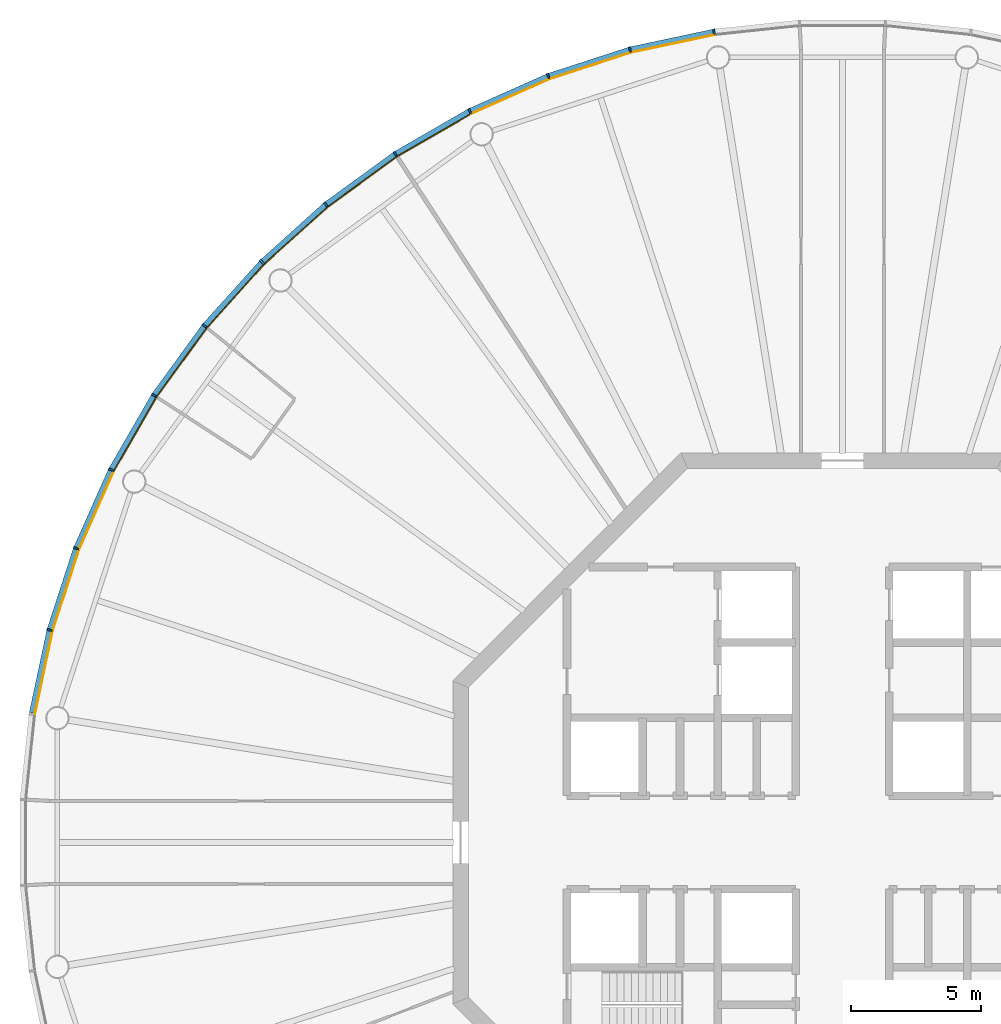
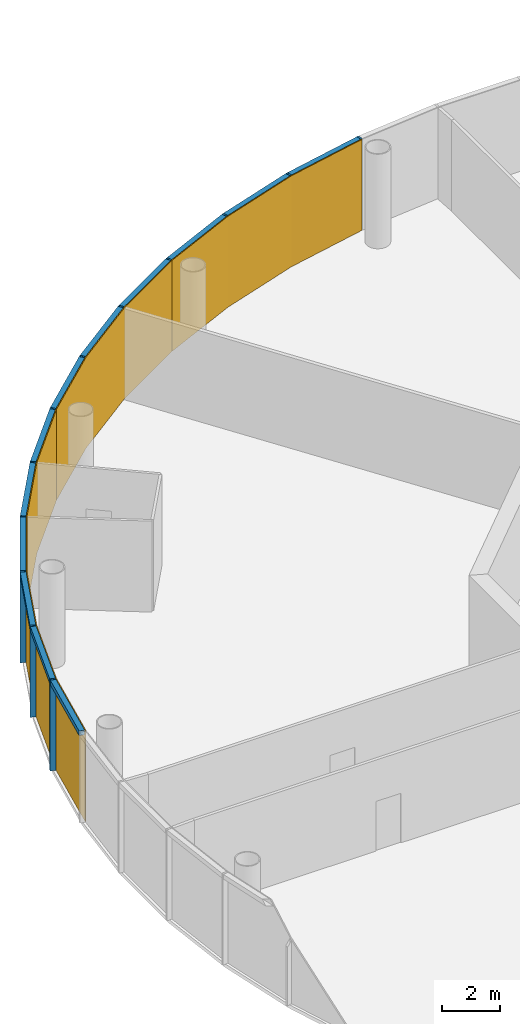
# One storey, part 10 of 13: 24 members, 4 curtain walls.
"""IFC4 building model written with IfcOpenShell, lengths in metres."""

from ifc_helpers import new_model, si_unit, direction, frame, origin, origin_2d, place, context, subcontext, project, spatial, polyline, rectangle, outline, extrude, material, layer, layer_set, material_profile, profile_set, type_object, element, aggregate, save


model = new_model("IFC4")

# Units and contexts
model_context = context("Model", 3, precision=1e-05, world=origin(), true_north=direction((0.0, 1.0)))
body_context = subcontext(model_context, "Body", "Model", "MODEL_VIEW")
ifc_project = project(units=[si_unit("LENGTHUNIT", "METRE"), si_unit("AREAUNIT", "SQUARE_METRE"), si_unit("VOLUMEUNIT", "CUBIC_METRE"), si_unit("PLANEANGLEUNIT", "RADIAN"), si_unit("MASSUNIT", "GRAM", prefix="KILO")], contexts=[model_context])

# Member
ifc_material_1 = material(Name="Anodised aluminium", Category="aluminium")
ifc_material_profile_1 = material_profile(ifc_material_1, rectangle(XDim=0.070068359375, YDim=0.205078125, at=origin_2d()), Name="Mullion 70 x 205 mm anodised aluminium")
ifc_profile_set_1 = profile_set([ifc_material_profile_1], Name="Anodised aluminium")
member_type_1 = type_object("IfcMemberType", Name="Mullion 70 x 205 mm anodised aluminium", PredefinedType="MULLION", material=ifc_profile_set_1)
site_placement = place(None, origin())
building_placement = place(site_placement, origin())
storey_placement = place(building_placement, frame((0.0, 0.0, 364.0)))
member_1_placement = place(storey_placement, frame((85.056396484375, 111.21337890625, 0.0), z_axis=(0.0, 0.0, 1.0), x_axis=(-0.987688340595, -0.15643446504, 0.0)))
member_1 = element("IfcMember", 1, at=member_1_placement, type_object=member_type_1, Name="MULLION L84-15", PredefinedType="MULLION", context=body_context, shape_type="SweptSolid", body=[
    extrude(rectangle(XDim=0.070068359375, YDim=0.205078125, at=origin_2d()), origin(), (0.0, 0.0, 1.0), 3.85009765625),
])

member_2_placement = place(storey_placement, frame((81.820556640625, 110.525634765625, 0.0), z_axis=(0.0, 0.0, 1.0), x_axis=(-0.965925826289, -0.258819045103, 0.0)))
member_2 = element("IfcMember", 2, at=member_2_placement, type_object=member_type_1, Name="MULLION L84-16", PredefinedType="MULLION", context=body_context, shape_type="SweptSolid", body=[
    extrude(rectangle(XDim=0.070068359375, YDim=0.205078125, at=origin_2d()), origin(), (0.0, 0.0, 1.0), 3.85009765625),
])

member_3_placement = place(storey_placement, frame((78.674560546875, 109.50341796875, 0.0), z_axis=(0.0, 0.0, 1.0), x_axis=(-0.933580426497, -0.358367949545, 0.0)))
member_3 = element("IfcMember", 3, at=member_3_placement, type_object=member_type_1, Name="MULLION L84-17", PredefinedType="MULLION", context=body_context, shape_type="SweptSolid", body=[
    extrude(rectangle(XDim=0.070068359375, YDim=0.205078125, at=origin_2d()), origin(), (0.0, 0.0, 1.0), 3.85009765625),
])

member_4_placement = place(storey_placement, frame((75.65283203125, 108.157958984375, 0.0), z_axis=(0.0, 0.0, 1.0), x_axis=(-0.891006524188, -0.45399049974, 0.0)))
member_4 = element("IfcMember", 4, at=member_4_placement, type_object=member_type_1, Name="MULLION L84-18", PredefinedType="MULLION", context=body_context, shape_type="SweptSolid", body=[
    extrude(rectangle(XDim=0.070068359375, YDim=0.205078125, at=origin_2d()), origin(), (0.0, 0.0, 1.0), 3.85009765625),
])

member_5_placement = place(storey_placement, frame((72.7880859375, 106.504150390625, 0.0), z_axis=(0.0, 0.0, 1.0), x_axis=(-0.838670567945, -0.544639035015, 0.0)))
member_5 = element("IfcMember", 5, at=member_5_placement, type_object=member_type_1, Name="MULLION L84-19", PredefinedType="MULLION", context=body_context, shape_type="SweptSolid", body=[
    extrude(rectangle(XDim=0.070068359375, YDim=0.205078125, at=origin_2d()), origin(), (0.0, 0.0, 1.0), 3.85009765625),
])

member_6_placement = place(storey_placement, frame((70.11181640625, 104.559814453125, 0.0), z_axis=(0.0, 0.0, 1.0), x_axis=(-0.777145961457, -0.62932039105, 0.0)))
member_6 = element("IfcMember", 6, at=member_6_placement, type_object=member_type_1, Name="MULLION L84-20", PredefinedType="MULLION", context=body_context, shape_type="SweptSolid", body=[
    extrude(rectangle(XDim=0.070068359375, YDim=0.205078125, at=origin_2d()), origin(), (0.0, 0.0, 1.0), 3.85009765625),
])

member_7_placement = place(storey_placement, frame((67.653564453125, 102.346435546875, 0.0), z_axis=(0.0, 0.0, 1.0), x_axis=(-0.707106781187, -0.707106781187, 0.0)))
member_7 = element("IfcMember", 7, at=member_7_placement, type_object=member_type_1, Name="MULLION L84-21", PredefinedType="MULLION", context=body_context, shape_type="SweptSolid", body=[
    extrude(rectangle(XDim=0.070068359375, YDim=0.205078125, at=origin_2d()), origin(), (0.0, 0.0, 1.0), 3.85009765625),
])

member_8_placement = place(storey_placement, frame((65.440185546875, 99.88818359375, 0.0), z_axis=(0.0, 0.0, 1.0), x_axis=(-0.62932039105, -0.777145961457, 0.0)))
member_8 = element("IfcMember", 8, at=member_8_placement, type_object=member_type_1, Name="MULLION L84-22", PredefinedType="MULLION", context=body_context, shape_type="SweptSolid", body=[
    extrude(rectangle(XDim=0.070068359375, YDim=0.205078125, at=origin_2d()), origin(), (0.0, 0.0, 1.0), 3.85009765625),
])

member_9_placement = place(storey_placement, frame((63.495849609375, 97.2119140625, 0.0), z_axis=(0.0, 0.0, 1.0), x_axis=(-0.544639035015, -0.838670567945, 0.0)))
member_9 = element("IfcMember", 9, at=member_9_placement, type_object=member_type_1, Name="MULLION L84-23", PredefinedType="MULLION", context=body_context, shape_type="SweptSolid", body=[
    extrude(rectangle(XDim=0.070068359375, YDim=0.205078125, at=origin_2d()), origin(), (0.0, 0.0, 1.0), 3.85009765625),
])

member_10_placement = place(storey_placement, frame((61.842041015625, 94.34716796875, 0.0), z_axis=(0.0, 0.0, 1.0), x_axis=(-0.45399049974, -0.891006524188, 0.0)))
member_10 = element("IfcMember", 10, at=member_10_placement, type_object=member_type_1, Name="MULLION L84-24", PredefinedType="MULLION", context=body_context, shape_type="SweptSolid", body=[
    extrude(rectangle(XDim=0.070068359375, YDim=0.205078125, at=origin_2d()), origin(), (0.0, 0.0, 1.0), 3.85009765625),
])

member_11_placement = place(storey_placement, frame((60.49658203125, 91.325439453125, 0.0), z_axis=(0.0, 0.0, 1.0), x_axis=(-0.358367949545, -0.933580426497, 0.0)))
member_11 = element("IfcMember", 11, at=member_11_placement, type_object=member_type_1, Name="MULLION L84-25", PredefinedType="MULLION", context=body_context, shape_type="SweptSolid", body=[
    extrude(rectangle(XDim=0.070068359375, YDim=0.205078125, at=origin_2d()), origin(), (0.0, 0.0, 1.0), 3.85009765625),
])

member_12_placement = place(storey_placement, frame((59.474365234375, 88.179443359375, 0.0), z_axis=(0.0, 0.0, 1.0), x_axis=(-0.258819045103, -0.965925826289, 0.0)))
member_12 = element("IfcMember", 12, at=member_12_placement, type_object=member_type_1, Name="MULLION L84-26", PredefinedType="MULLION", context=body_context, shape_type="SweptSolid", body=[
    extrude(rectangle(XDim=0.070068359375, YDim=0.205078125, at=origin_2d()), origin(), (0.0, 0.0, 1.0), 3.85009765625),
])

ifc_material_2 = material(Name="Anodised aluminium", Category="aluminium")
ifc_material_profile_2 = material_profile(ifc_material_2, rectangle(XDim=0.205078125, YDim=0.195068359375, at=origin_2d()), Name="Transom 195 x 205 mm anodised aluminium")
ifc_profile_set_2 = profile_set([ifc_material_profile_2], Name="Anodised aluminium")
member_type_2 = type_object("IfcMemberType", Name="Transom 195 x 205 mm anodised aluminium", PredefinedType="USERDEFINED", material=ifc_profile_set_2)
member_13_placement = place(storey_placement, frame((85.016845703125, 111.205078125, 3.75244140625), z_axis=(-0.978153082647, -0.207885898771, 0.0), x_axis=(0.207885898771, -0.978153082647, 0.0)))
member_13 = element("IfcMember", 13, at=member_13_placement, type_object=member_type_2, Name="TRANSOM L84-15", ObjectType="TRANSOM", PredefinedType="USERDEFINED", context=body_context, shape_type="SweptSolid", body=[
    extrude(rectangle(XDim=0.205078125, YDim=0.195068359375, at=origin_2d()), origin(), (0.0, 0.0, 1.0), 3.227294921875),
])

member_14_placement = place(storey_placement, frame((81.7822265625, 110.513427734375, 3.75244140625), z_axis=(-0.951046855117, -0.309046726844, 0.0), x_axis=(0.309046726844, -0.951046855117, 0.0)))
member_14 = element("IfcMember", 14, at=member_14_placement, type_object=member_type_2, Name="TRANSOM L84-16", ObjectType="TRANSOM", PredefinedType="USERDEFINED", context=body_context, shape_type="SweptSolid", body=[
    extrude(rectangle(XDim=0.205078125, YDim=0.195068359375, at=origin_2d()), origin(), (0.0, 0.0, 1.0), 3.22705078125),
])

member_15_placement = place(storey_placement, frame((78.6376953125, 109.4873046875, 3.75244140625), z_axis=(-0.913521178731, -0.406791170024, 0.0), x_axis=(0.406791170024, -0.913521178731, 0.0)))
member_15 = element("IfcMember", 15, at=member_15_placement, type_object=member_type_2, Name="TRANSOM L84-17", ObjectType="TRANSOM", PredefinedType="USERDEFINED", context=body_context, shape_type="SweptSolid", body=[
    extrude(rectangle(XDim=0.205078125, YDim=0.195068359375, at=origin_2d()), origin(), (0.0, 0.0, 1.0), 3.22705078125),
])

member_16_placement = place(storey_placement, frame((75.61767578125, 108.137939453125, 3.75244140625), z_axis=(-0.866023062494, -0.500004055213, 0.0), x_axis=(0.500004055213, -0.866023062494, 0.0)))
member_16 = element("IfcMember", 16, at=member_16_placement, type_object=member_type_2, Name="TRANSOM L84-18", ObjectType="TRANSOM", PredefinedType="USERDEFINED", context=body_context, shape_type="SweptSolid", body=[
    extrude(rectangle(XDim=0.205078125, YDim=0.195068359375, at=origin_2d()), origin(), (0.0, 0.0, 1.0), 3.22705078125),
])

member_17_placement = place(storey_placement, frame((72.75537109375, 106.48046875, 3.75244140625), z_axis=(-0.809004252048, -0.587802790201, 0.0), x_axis=(0.587802790201, -0.809004252048, 0.0)))
member_17 = element("IfcMember", 17, at=member_17_placement, type_object=member_type_2, Name="TRANSOM L84-19", ObjectType="TRANSOM", PredefinedType="USERDEFINED", context=body_context, shape_type="SweptSolid", body=[
    extrude(rectangle(XDim=0.205078125, YDim=0.195068359375, at=origin_2d()), origin(), (0.0, 0.0, 1.0), 3.227294921875),
])

member_18_placement = place(storey_placement, frame((70.081787109375, 104.532958984375, 3.75244140625), z_axis=(-0.743132370743, -0.669144438484, 0.0), x_axis=(0.669144438484, -0.743132370743, 0.0)))
member_18 = element("IfcMember", 18, at=member_18_placement, type_object=member_type_2, Name="TRANSOM L84-20", ObjectType="TRANSOM", PredefinedType="USERDEFINED", context=body_context, shape_type="SweptSolid", body=[
    extrude(rectangle(XDim=0.205078125, YDim=0.195068359375, at=origin_2d()), origin(), (0.0, 0.0, 1.0), 3.22705078125),
])

member_19_placement = place(storey_placement, frame((67.62646484375, 102.31640625, 3.75244140625), z_axis=(-0.669144438484, -0.743132370743, 0.0), x_axis=(0.743132370743, -0.669144438484, 0.0)))
member_19 = element("IfcMember", 19, at=member_19_placement, type_object=member_type_2, Name="TRANSOM L84-21", ObjectType="TRANSOM", PredefinedType="USERDEFINED", context=body_context, shape_type="SweptSolid", body=[
    extrude(rectangle(XDim=0.205078125, YDim=0.195068359375, at=origin_2d()), origin(), (0.0, 0.0, 1.0), 3.22705078125),
])

member_20_placement = place(storey_placement, frame((65.41650390625, 99.85546875, 3.75244140625), z_axis=(-0.587802790201, -0.809004252048, 0.0), x_axis=(0.809004252048, -0.587802790201, 0.0)))
member_20 = element("IfcMember", 20, at=member_20_placement, type_object=member_type_2, Name="TRANSOM L84-22", ObjectType="TRANSOM", PredefinedType="USERDEFINED", context=body_context, shape_type="SweptSolid", body=[
    extrude(rectangle(XDim=0.205078125, YDim=0.195068359375, at=origin_2d()), origin(), (0.0, 0.0, 1.0), 3.227294921875),
])

member_21_placement = place(storey_placement, frame((63.4755859375, 97.177001953125, 3.75244140625), z_axis=(-0.500004055213, -0.866023062494, 0.0), x_axis=(0.866023062494, -0.500004055213, 0.0)))
member_21 = element("IfcMember", 21, at=member_21_placement, type_object=member_type_2, Name="TRANSOM L84-23", ObjectType="TRANSOM", PredefinedType="USERDEFINED", context=body_context, shape_type="SweptSolid", body=[
    extrude(rectangle(XDim=0.205078125, YDim=0.195068359375, at=origin_2d()), origin(), (0.0, 0.0, 1.0), 3.22705078125),
])

member_22_placement = place(storey_placement, frame((61.825439453125, 94.310302734375, 3.75244140625), z_axis=(-0.406791170024, -0.913521178731, 0.0), x_axis=(0.913521178731, -0.406791170024, 0.0)))
member_22 = element("IfcMember", 22, at=member_22_placement, type_object=member_type_2, Name="TRANSOM L84-24", ObjectType="TRANSOM", PredefinedType="USERDEFINED", context=body_context, shape_type="SweptSolid", body=[
    extrude(rectangle(XDim=0.205078125, YDim=0.195068359375, at=origin_2d()), origin(), (0.0, 0.0, 1.0), 3.22705078125),
])

member_23_placement = place(storey_placement, frame((60.48388671875, 91.286865234375, 3.75244140625), z_axis=(-0.309046726844, -0.951046855117, 0.0), x_axis=(0.951046855117, -0.309046726844, 0.0)))
member_23 = element("IfcMember", 23, at=member_23_placement, type_object=member_type_2, Name="TRANSOM L84-25", ObjectType="TRANSOM", PredefinedType="USERDEFINED", context=body_context, shape_type="SweptSolid", body=[
    extrude(rectangle(XDim=0.205078125, YDim=0.195068359375, at=origin_2d()), origin(), (0.0, 0.0, 1.0), 3.22705078125),
])

member_24_placement = place(storey_placement, frame((59.4658203125, 88.139892578125, 3.75244140625), z_axis=(-0.207885898771, -0.978153082647, 0.0), x_axis=(0.978153082647, -0.207885898771, 0.0)))
member_24 = element("IfcMember", 24, at=member_24_placement, type_object=member_type_2, Name="TRANSOM L84-26", ObjectType="TRANSOM", PredefinedType="USERDEFINED", context=body_context, shape_type="SweptSolid", body=[
    extrude(rectangle(XDim=0.205078125, YDim=0.195068359375, at=origin_2d()), origin(), (0.0, 0.0, 1.0), 3.227294921875),
])

# Site, building, storey
site = spatial("IfcSite", under=ifc_project, at=site_placement, CompositionType="ELEMENT")
building = spatial("IfcBuilding", under=site, at=building_placement, Name="Entoto Ring Tower", CompositionType="ELEMENT")
storey = spatial("IfcBuildingStorey", under=building, at=storey_placement, Name="L84", CompositionType="ELEMENT", Elevation=364.0)

# Curtain wall
ifc_material_3 = material(Name="Clear low-iron glass", Category="glass")
ifc_layer = layer(ifc_material_3, 0.035888671875)
ifc_layer_set = layer_set([ifc_layer], Name="Clear low-iron glass")
curtain_wall_type = type_object("IfcCurtainWallType", Name="Curtain wall system CW6 glazing 36 mm", PredefinedType="NOTDEFINED", material=ifc_layer_set)
curtain_wall_1_placement = place(storey_placement, origin())
curtain_wall_1 = element("IfcCurtainWall", 25, at=curtain_wall_1_placement, inside=storey, type_object=curtain_wall_type, Name="CW6 L84-06", PredefinedType="NOTDEFINED", context=body_context, shape_type="SweptSolid", body=[
    extrude(outline(polyline([(85.072265625, 111.1123046875), (81.84716796875, 110.4267578125), (78.71142578125, 109.40771484375), (75.69921875, 108.066650390625), (75.715576171875, 108.03466796875), (78.724365234375, 109.3740234375), (81.8564453125, 110.391845703125), (85.077880859375, 111.07666015625), (85.072265625, 111.1123046875)])), origin(), (0.0, 0.0, 1.0), 3.85009765625),
])

aggregate(curtain_wall_1, [member_1, member_2, member_3, member_13, member_14, member_15])

curtain_wall_2_placement = place(storey_placement, origin())
curtain_wall_2 = element("IfcCurtainWall", 26, at=curtain_wall_2_placement, inside=storey, type_object=curtain_wall_type, Name="CW6 L84-07", PredefinedType="NOTDEFINED", context=body_context, shape_type="SweptSolid", body=[
    extrude(outline(polyline([(75.69921875, 108.066650390625), (72.84375, 106.418212890625), (70.176513671875, 104.47998046875), (67.72607421875, 102.27392578125), (67.751708984375, 102.248291015625), (70.198974609375, 104.4521484375), (72.863525390625, 106.387939453125), (75.715576171875, 108.03466796875), (75.69921875, 108.066650390625)])), origin(), (0.0, 0.0, 1.0), 3.85009765625),
])

aggregate(curtain_wall_2, [member_4, member_5, member_6, member_16, member_17, member_18])

curtain_wall_3_placement = place(storey_placement, origin())
curtain_wall_3 = element("IfcCurtainWall", 27, at=curtain_wall_3_placement, inside=storey, type_object=curtain_wall_type, Name="CW6 L84-08", PredefinedType="NOTDEFINED", context=body_context, shape_type="SweptSolid", body=[
    extrude(outline(polyline([(67.72607421875, 102.27392578125), (65.52001953125, 99.823486328125), (63.581787109375, 97.15625), (61.933349609375, 94.30078125), (61.96533203125, 94.284423828125), (63.612060546875, 97.136474609375), (65.5478515625, 99.801025390625), (67.751708984375, 102.248291015625), (67.72607421875, 102.27392578125)])), origin(), (0.0, 0.0, 1.0), 3.85009765625),
])

aggregate(curtain_wall_3, [member_7, member_8, member_9, member_19, member_20, member_21])

curtain_wall_4_placement = place(storey_placement, origin())
curtain_wall_4 = element("IfcCurtainWall", 28, at=curtain_wall_4_placement, inside=storey, type_object=curtain_wall_type, Name="CW6 L84-09", PredefinedType="NOTDEFINED", context=body_context, shape_type="SweptSolid", body=[
    extrude(outline(polyline([(61.933349609375, 94.30078125), (60.59228515625, 91.28857421875), (59.5732421875, 88.15283203125), (58.8876953125, 84.927734375), (58.92333984375, 84.922119140625), (59.608154296875, 88.1435546875), (60.6259765625, 91.275634765625), (61.96533203125, 94.284423828125), (61.933349609375, 94.30078125)])), origin(), (0.0, 0.0, 1.0), 3.85009765625),
])

aggregate(curtain_wall_4, [member_10, member_11, member_12, member_22, member_23, member_24])

save(model, "model.ifc")
